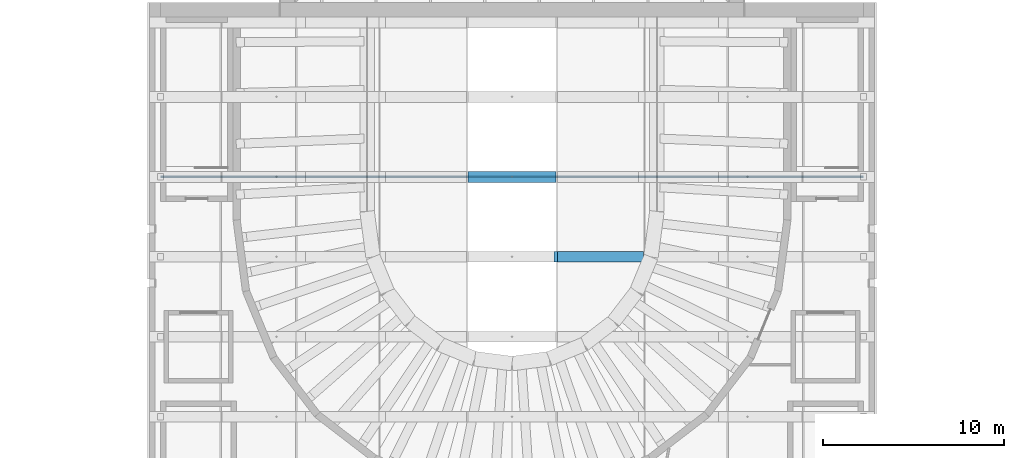
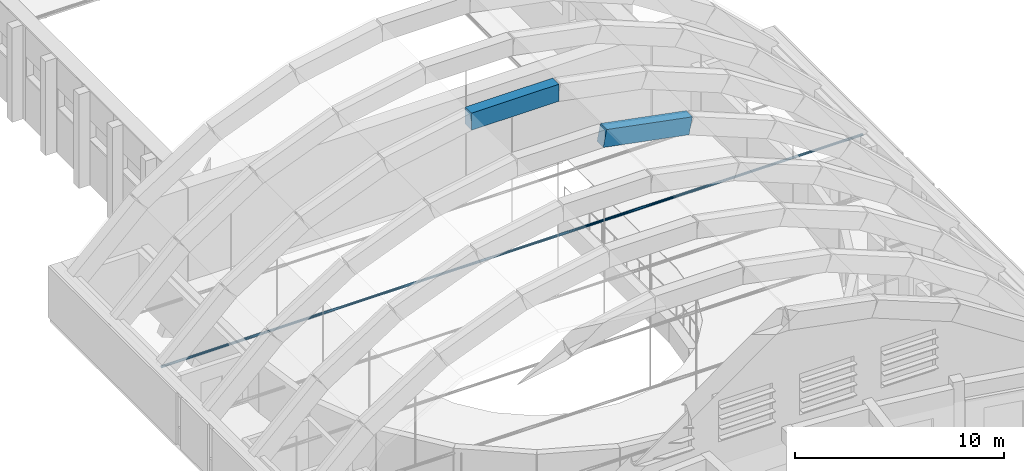
# One storey, part 30 of 94: 2 beams, 1 member.
"""IFC4 building model written with IfcOpenShell, lengths in metres."""

from ifc_helpers import new_model, si_unit, direction, frame, origin, origin_2d, place, context, subcontext, project, spatial, rectangle, hollow_circle, extrude, material, material_profile, profile_set, type_object, element, save


model = new_model("IFC4")

# Units and contexts
model_context = context("Model", 3, precision=1e-05, world=origin(), true_north=direction((0.0, 1.0)))
body_context = subcontext(model_context, "Body", "Model", "MODEL_VIEW")
ifc_project = project(units=[si_unit("LENGTHUNIT", "METRE"), si_unit("AREAUNIT", "SQUARE_METRE"), si_unit("VOLUMEUNIT", "CUBIC_METRE"), si_unit("PLANEANGLEUNIT", "RADIAN"), si_unit("MASSUNIT", "GRAM", prefix="KILO")], contexts=[model_context])

# Site, building, storey
site_placement = place(None, origin())
site = spatial("IfcSite", under=ifc_project, at=site_placement, CompositionType="ELEMENT")
building_placement = place(site_placement, origin())
building = spatial("IfcBuilding", under=site, at=building_placement, Name="Lunette Opera House", CompositionType="ELEMENT")
storey_placement = place(building_placement, frame((0.0, 0.0, 22.5)))
storey = spatial("IfcBuildingStorey", under=building, at=storey_placement, Name="L04", CompositionType="ELEMENT", Elevation=22.5)

# Beams
ifc_material_1 = material(Name="Concrete C40/50", Category="concrete")
ifc_material_profile_1 = material_profile(ifc_material_1, rectangle(XDim=0.60009765625, YDim=1.0, at=origin_2d()), Name="ARCH BEAM 600X1000")
ifc_profile_set_1 = profile_set([ifc_material_profile_1], Name="Concrete C40/50")
beam_type = type_object("IfcBeamType", Name="ARCH BEAM 600X1000", PredefinedType="BEAM", material=ifc_profile_set_1)
beam_1_placement = place(storey_placement, frame((98.4189453125, 81.95703125, 11.262939453125), z_axis=(0.981908402453, 0.0, -0.189356513466), x_axis=(0.0, 1.0, 0.0)))
element("IfcBeam", 1, at=beam_1_placement, inside=storey, type_object=beam_type, Name="beam-AU-L04-EA5-6", PredefinedType="BEAM", context=body_context, shape_type="SweptSolid", body=[
    extrude(rectangle(XDim=0.60009765625, YDim=1.0, at=origin_2d()), origin(), (0.0, 0.0, 1.0), 4.83740234375),
])
beam_2_placement = place(storey_placement, frame((93.5810546875, 86.37109375, 11.262939453125), z_axis=(1.0, 0.0, 0.0), x_axis=(0.0, 1.0, 0.0)))
element("IfcBeam", 2, at=beam_2_placement, inside=storey, type_object=beam_type, Name="beam-AU-L04-EA6-5", PredefinedType="BEAM", context=body_context, shape_type="SweptSolid", body=[
    extrude(rectangle(XDim=0.60009765625, YDim=1.0, at=origin_2d()), origin(), (0.0, 0.0, 1.0), 4.837890625),
])

# Member
ifc_material_2 = material(Name="Steel S355", Category="steel")
ifc_material_profile_2 = material_profile(ifc_material_2, hollow_circle(Radius=0.06982421875, WallThickness=0.008056640625, at=origin_2d()), Name="CHS 139.7X8")
ifc_profile_set_2 = profile_set([ifc_material_profile_2], Name="Steel S355")
member_type = type_object("IfcMemberType", Name="CHS 139.7X8", PredefinedType="STRUT", material=ifc_profile_set_2)
member_placement = place(storey_placement, frame((76.60009765625, 86.37109375, 2.699951171875), z_axis=(1.0, 0.0, 0.0), x_axis=(0.0, 1.0, 0.0)))
element("IfcMember", 3, at=member_placement, inside=storey, type_object=member_type, Name="mem-AU-L04-TR6", PredefinedType="STRUT", context=body_context, shape_type="SweptSolid", body=[
    extrude(hollow_circle(Radius=0.06982421875, WallThickness=0.008056640625, at=origin_2d()), origin(), (0.0, 0.0, 1.0), 38.7998046875),
])

save(model, "model.ifc")
